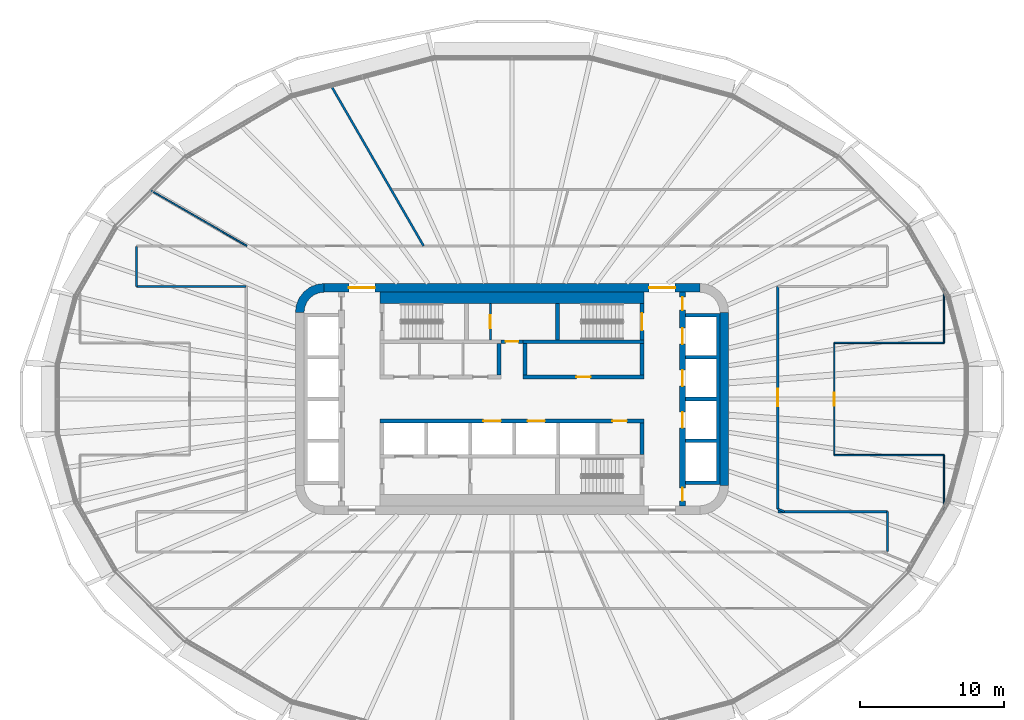
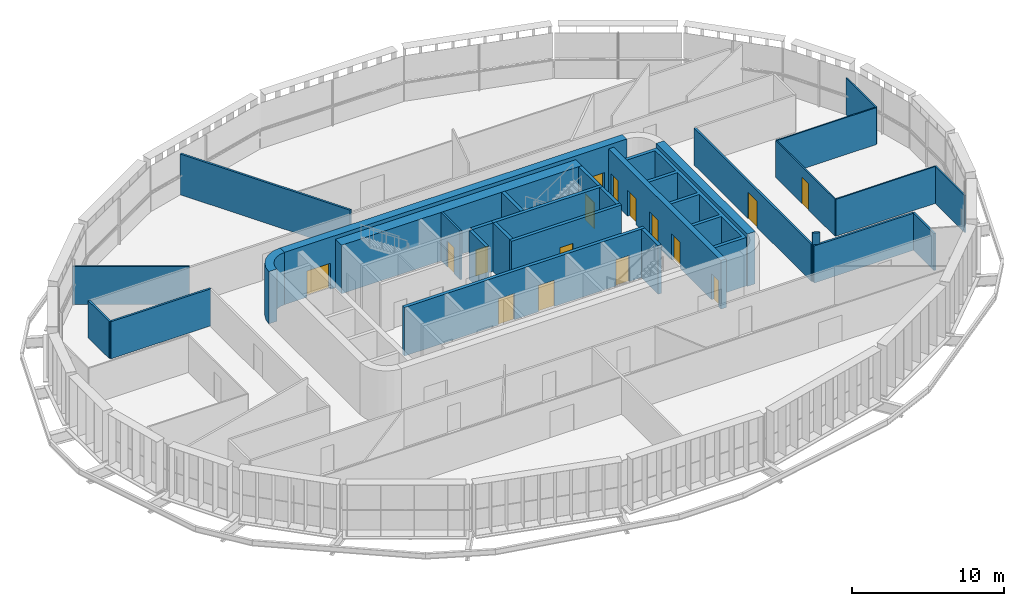
# One storey, part 16 of 25: 30 walls, 16 doors, 16 openings.
"""IFC4 building model written with IfcOpenShell, lengths in metres."""

from ifc_helpers import new_model, si_unit, direction, frame, frame_2d, origin, place, context, subcontext, project, spatial, polyline, rectangle, outline, extrude, material, layer, layer_set, type_object, element, fill, save


model = new_model("IFC4")

# Units and contexts
model_context = context("Model", 3, precision=1e-05, world=origin(), true_north=direction((0.0, 1.0)))
body_context = subcontext(model_context, "Body", "Model", "MODEL_VIEW")
ifc_project = project(units=[si_unit("LENGTHUNIT", "METRE"), si_unit("AREAUNIT", "SQUARE_METRE"), si_unit("VOLUMEUNIT", "CUBIC_METRE"), si_unit("PLANEANGLEUNIT", "RADIAN"), si_unit("MASSUNIT", "GRAM", prefix="KILO")], contexts=[model_context])

# Site, building, storey
site_placement = place(None, origin())
site = spatial("IfcSite", under=ifc_project, at=site_placement, CompositionType="ELEMENT")
building_placement = place(site_placement, origin())
building = spatial("IfcBuilding", under=site, at=building_placement, Name="Sahrelin Media Tower", CompositionType="ELEMENT")
storey_placement = place(building_placement, frame((0.0, 0.0, 144.0)))
storey = spatial("IfcBuildingStorey", under=building, at=storey_placement, Name="L29", CompositionType="ELEMENT", Elevation=144.0)

# Wall, openings, doors
ifc_material_1 = material(Name="Concrete C60/75", Category="concrete")
ifc_layer_1 = layer(ifc_material_1, 0.60009765625)
ifc_layer_set_1 = layer_set([ifc_layer_1], Name="Core wall 600")
wall_type_1 = type_object("IfcWallType", Name="Core wall 600", PredefinedType="SHEAR", material=ifc_layer_set_1)
wall_1_placement = place(storey_placement, frame((-13.0, 7.699951171875, 0.0), z_axis=(0.0, 0.0, 1.0), x_axis=(1.0, 0.0, 0.0)))
wall_1 = element("IfcWall", 1, at=wall_1_placement, inside=storey, type_object=wall_type_1, Name="Core wall N L29", PredefinedType="SHEAR", context=body_context, shape_type="SweptSolid", body=[
    extrude(rectangle(XDim=26.0, YDim=0.60009765625, at=frame_2d((13.0, 0.0))), origin(), (0.0, 0.0, 1.0), 4.199951171875),
])
opening_1_placement = place(wall_1_placement, frame((1.699951171875, 0.0, 0.0)))
opening_1 = element("IfcOpeningElement", 2, at=opening_1_placement, cuts=wall_1, Name="Opening L29-D17", PredefinedType="OPENING", context=body_context, shape_type="SweptSolid", body=[
    extrude(rectangle(XDim=1.800048828125, YDim=2.10009765625, at=frame_2d((0.89990234375, 1.050048828125))), frame((0.0, 0.300048828125, 0.0), z_axis=(0.0, -1.0, 0.0), x_axis=(1.0, 0.0, 0.0)), (0.0, 0.0, 1.0), 0.60009765625),
])
opening_2_placement = place(wall_1_placement, frame((22.5, 0.0, 0.0)))
opening_2 = element("IfcOpeningElement", 3, at=opening_2_placement, cuts=wall_1, Name="Opening L29-D18", PredefinedType="OPENING", context=body_context, shape_type="SweptSolid", body=[
    extrude(rectangle(XDim=1.800048828125, YDim=2.10009765625, at=frame_2d((0.89990234375, 1.050048828125))), frame((0.0, 0.300048828125, 0.0), z_axis=(0.0, -1.0, 0.0), x_axis=(1.0, 0.0, 0.0)), (0.0, 0.0, 1.0), 0.60009765625),
])
ifc_material_2 = material(Name="Steel fire door leaf", Category="steel")
door_type_1 = type_object("IfcDoorType", Name="Lobby double door 1800 x 2100 EI 60", OperationType="DOUBLE_DOOR_SINGLE_SWING", PredefinedType="DOOR", material=ifc_material_2)
door_1_placement = place(opening_1_placement, origin())
door_1 = element("IfcDoor", 4, at=door_1_placement, inside=storey, type_object=door_type_1, Name="Lobby door", OperationType="DOUBLE_DOOR_SINGLE_SWING", OverallHeight=2.10009765625, OverallWidth=1.800048828125, PredefinedType="DOOR", context=body_context, shape_type="SweptSolid", body=[
    extrude(rectangle(XDim=1.800048828125, YDim=2.10009765625, at=frame_2d((0.89990234375, 1.050048828125))), frame((0.0, 0.02490234375, 0.0), z_axis=(0.0, -1.0, 0.0), x_axis=(1.0, 0.0, 0.0)), (0.0, 0.0, 1.0), 0.050048828125),
])
fill(opening_1, door_1)
door_2_placement = place(opening_2_placement, origin())
door_2 = element("IfcDoor", 5, at=door_2_placement, inside=storey, type_object=door_type_1, Name="Lobby door", OperationType="DOUBLE_DOOR_SINGLE_SWING", OverallHeight=2.10009765625, OverallWidth=1.800048828125, PredefinedType="DOOR", context=body_context, shape_type="SweptSolid", body=[
    extrude(rectangle(XDim=1.800048828125, YDim=2.10009765625, at=frame_2d((0.89990234375, 1.050048828125))), frame((0.0, 0.02490234375, 0.0), z_axis=(0.0, -1.0, 0.0), x_axis=(1.0, 0.0, 0.0)), (0.0, 0.0, 1.0), 0.050048828125),
])
fill(opening_2, door_2)

# Walls
wall_2_placement = place(storey_placement, frame((14.699951171875, -6.0, 0.0), z_axis=(0.0, 0.0, 1.0), x_axis=(0.0, 1.0, 0.0)))
element("IfcWall", 6, at=wall_2_placement, inside=storey, type_object=wall_type_1, Name="Core wall E L29", PredefinedType="SHEAR", context=body_context, shape_type="SweptSolid", body=[
    extrude(rectangle(XDim=12.0, YDim=0.60009765625, at=frame_2d((6.0, 0.0))), origin(), (0.0, 0.0, 1.0), 4.199951171875),
])
placement = place(storey_placement, origin())
element("IfcWall", 7, at=placement, inside=storey, type_object=wall_type_1, Name="Core wall corner NW L29", PredefinedType="SHEAR", context=body_context, shape_type="SweptSolid", body=[
    extrude(outline(polyline([(-15.0, 6.0), (-14.394775390625, 6.0), (-14.347412109375, 6.361083984375), (-14.2080078125, 6.697509765625), (-13.986328125, 6.986328125), (-13.697509765625, 7.2080078125), (-13.361083984375, 7.347412109375), (-13.0, 7.394775390625), (-13.0, 8.0), (-13.517578125, 7.931884765625), (-14.0, 7.732177734375), (-14.414306640625, 7.414306640625), (-14.732177734375, 7.0), (-14.931884765625, 6.517578125), (-15.0, 6.0)])), origin(), (0.0, 0.0, 1.0), 4.199951171875),
])

# Wall, opening, door
ifc_material_3 = material(Name="Fire-rated gypsum board partition")
ifc_layer_2 = layer(ifc_material_3, 0.25)
ifc_layer_set_2 = layer_set([ifc_layer_2], Name="Fire-rated lobby wall 250")
wall_type_2 = type_object("IfcWallType", Name="Fire-rated lobby wall 250", PredefinedType="PARTITIONING", material=ifc_layer_set_2)
wall_4_placement = place(storey_placement, frame((-0.77490234375, 3.97509765625, 0.0), z_axis=(0.0, 0.0, 1.0), x_axis=(1.0, 0.0, 0.0)))
wall_4 = element("IfcWall", 8, at=wall_4_placement, inside=storey, type_object=wall_type_2, Name="Core lobby wall", PredefinedType="PARTITIONING", context=body_context, shape_type="SweptSolid", body=[
    extrude(rectangle(XDim=1.5498046875, YDim=0.25, at=frame_2d((0.77490234375, 0.0))), origin(), (0.0, 0.0, 1.0), 3.89990234375),
])
opening_3_placement = place(wall_4_placement, frame((0.324951171875, 0.0, 0.0)))
opening_3 = element("IfcOpeningElement", 9, at=opening_3_placement, cuts=wall_4, Name="Opening L29-D06", PredefinedType="OPENING", context=body_context, shape_type="SweptSolid", body=[
    extrude(rectangle(XDim=0.89990234375, YDim=2.10009765625, at=frame_2d((0.449951171875, 1.050048828125))), frame((0.0, 0.125, 0.0), z_axis=(0.0, -1.0, 0.0), x_axis=(1.0, 0.0, 0.0)), (0.0, 0.0, 1.0), 0.25),
])
door_type_2 = type_object("IfcDoorType", Name="Riser door 900 x 2100 EI 120", OperationType="NOTDEFINED", PredefinedType="DOOR", material=ifc_material_2)
door_3_placement = place(opening_3_placement, origin())
door_3 = element("IfcDoor", 10, at=door_3_placement, inside=storey, type_object=door_type_2, Name="Core room door", OperationType="SINGLE_SWING_LEFT", OverallHeight=2.10009765625, OverallWidth=0.89990234375, PredefinedType="DOOR", context=body_context, shape_type="SweptSolid", body=[
    extrude(rectangle(XDim=0.89990234375, YDim=2.10009765625, at=frame_2d((0.449951171875, 1.050048828125))), frame((0.0, 0.02490234375, 0.0), z_axis=(0.0, -1.0, 0.0), x_axis=(1.0, 0.0, 0.0)), (0.0, 0.0, 1.0), 0.050048828125),
])
fill(opening_3, door_3)

wall_5_placement = place(storey_placement, frame((0.77490234375, 1.52490234375, 0.0), z_axis=(0.0, 0.0, 1.0), x_axis=(1.0, 0.0, 0.0)))
wall_5 = element("IfcWall", 11, at=wall_5_placement, inside=storey, type_object=wall_type_2, Name="Core lobby wall", PredefinedType="PARTITIONING", context=body_context, shape_type="SweptSolid", body=[
    extrude(rectangle(XDim=8.35009765625, YDim=0.25, at=frame_2d((4.175048828125, 0.0))), origin(), (0.0, 0.0, 1.0), 3.89990234375),
])
opening_4_placement = place(wall_5_placement, frame((3.675048828125, 0.0, 0.0)))
opening_4 = element("IfcOpeningElement", 12, at=opening_4_placement, cuts=wall_5, Name="Opening L29-D11", PredefinedType="OPENING", context=body_context, shape_type="SweptSolid", body=[
    extrude(rectangle(XDim=1.0, YDim=2.10009765625, at=frame_2d((0.5, 1.050048828125))), frame((0.0, 0.125, 0.0), z_axis=(0.0, -1.0, 0.0), x_axis=(1.0, 0.0, 0.0)), (0.0, 0.0, 1.0), 0.25),
])
door_type_3 = type_object("IfcDoorType", Name="Fire door 1000 x 2100 EI 60", OperationType="NOTDEFINED", PredefinedType="DOOR", material=ifc_material_2)
door_4_placement = place(opening_4_placement, origin())
door_4 = element("IfcDoor", 13, at=door_4_placement, inside=storey, type_object=door_type_3, Name="Core room door", OperationType="SINGLE_SWING_LEFT", OverallHeight=2.10009765625, OverallWidth=1.0, PredefinedType="DOOR", context=body_context, shape_type="SweptSolid", body=[
    extrude(rectangle(XDim=1.0, YDim=2.10009765625, at=frame_2d((0.5, 1.050048828125))), frame((0.0, 0.02490234375, 0.0), z_axis=(0.0, -1.0, 0.0), x_axis=(1.0, 0.0, 0.0)), (0.0, 0.0, 1.0), 0.050048828125),
])
fill(opening_4, door_4)

# Walls
for number, where, z_axis, x_axis, name in (
    (14, (-0.89990234375, 1.64990234375, 0.0), (0.0, 0.0, 1.0), (0.0, 1.0, 0.0), "Core lobby wall"),
    (15, (9.0, 1.64990234375, 0.0), (0.0, 0.0, 1.0), (0.0, 1.0, 0.0), "Core lobby wall"),
    (16, (0.89990234375, 1.64990234375, 0.0), (0.0, 0.0, 1.0), (0.0, 1.0, 0.0), "Core lobby wall"),
):
    element("IfcWall", number, at=place(storey_placement, frame(where, z_axis=z_axis, x_axis=x_axis)), inside=storey, type_object=wall_type_2, Name=name, PredefinedType="PARTITIONING", context=body_context, shape_type="SweptSolid", body=[
        extrude(rectangle(XDim=2.2001953125, YDim=0.25, at=frame_2d((1.10009765625, 0.0))), origin(), (0.0, 0.0, 1.0), 3.89990234375),
    ])

# Wall, opening, door
ifc_layer_3 = layer(ifc_material_3, 0.14990234375)
ifc_layer_set_3 = layer_set([ifc_layer_3], Name="Fire-rated partition 150")
wall_type_3 = type_object("IfcWallType", Name="Fire-rated partition 150", PredefinedType="PARTITIONING", material=ifc_layer_set_3)
wall_6_placement = place(storey_placement, frame((-1.5, 4.10009765625, 0.0), z_axis=(0.0, 0.0, 1.0), x_axis=(0.0, 1.0, 0.0)))
wall_6 = element("IfcWall", 17, at=wall_6_placement, inside=storey, type_object=wall_type_3, Name="Core room fire partition", PredefinedType="PARTITIONING", context=body_context, shape_type="SweptSolid", body=[
    extrude(rectangle(XDim=2.5, YDim=0.14990234375, at=frame_2d((1.25, 0.0))), origin(), (0.0, 0.0, 1.0), 3.89990234375),
])
opening_5_placement = place(wall_6_placement, frame((0.800048828125, 0.0, 0.0)))
opening_5 = element("IfcOpeningElement", 18, at=opening_5_placement, cuts=wall_6, Name="Opening L29-D07", PredefinedType="OPENING", context=body_context, shape_type="SweptSolid", body=[
    extrude(rectangle(XDim=0.89990234375, YDim=2.10009765625, at=frame_2d((0.449951171875, 1.050048828125))), frame((0.0, 0.074951171875, 0.0), z_axis=(0.0, -1.0, 0.0), x_axis=(1.0, 0.0, 0.0)), (0.0, 0.0, 1.0), 0.14990234375),
])
door_type_4 = type_object("IfcDoorType", Name="Fire door 900 x 2100 EI 60", OperationType="NOTDEFINED", PredefinedType="DOOR", material=ifc_material_2)
door_5_placement = place(opening_5_placement, origin())
door_5 = element("IfcDoor", 19, at=door_5_placement, inside=storey, type_object=door_type_4, Name="Core room door", OperationType="SINGLE_SWING_LEFT", OverallHeight=2.10009765625, OverallWidth=0.89990234375, PredefinedType="DOOR", context=body_context, shape_type="SweptSolid", body=[
    extrude(rectangle(XDim=0.89990234375, YDim=2.10009765625, at=frame_2d((0.449951171875, 1.050048828125))), frame((0.0, 0.02490234375, 0.0), z_axis=(0.0, -1.0, 0.0), x_axis=(1.0, 0.0, 0.0)), (0.0, 0.0, 1.0), 0.050048828125),
])
fill(opening_5, door_5)

# Walls
wall_7_placement = place(storey_placement, frame((-12.5810546875, 21.7900390625, 0.0), z_axis=(0.0, 0.0, 1.0), x_axis=(0.500038653944, -0.866003085769, 0.0)))
element("IfcWall", 20, at=wall_7_placement, inside=storey, type_object=wall_type_3, Name="Wall", PredefinedType="PARTITIONING", context=body_context, shape_type="SweptSolid", body=[
    extrude(rectangle(XDim=12.92138671875, YDim=0.14990234375, at=frame_2d((6.460693359375, 0.0))), origin(), (0.0, 0.0, 1.0), 3.27734375),
])
wall_8_placement = place(storey_placement, frame((18.39990234375, -7.60791015625, 0.0), z_axis=(0.0, 0.0, 1.0), x_axis=(0.923666464005, -0.383197420755, 0.0)))
element("IfcWall", 21, at=wall_8_placement, inside=storey, type_object=wall_type_3, Name="Wall", PredefinedType="PARTITIONING", context=body_context, shape_type="SweptSolid", body=[
    extrude(rectangle(XDim=0.50146484375, YDim=0.14990234375, at=frame_2d((0.250732421875, 0.0))), origin(), (0.0, 0.0, 1.0), 3.89990234375),
])
for number, where, z_axis, x_axis, name in (
    (22, (18.39990234375, -7.800048828125, 0.0), (0.0, 0.0, 1.0), (1.0, 0.0, 0.0), "Wall"),
    (23, (-26.0, 7.800048828125, 0.0), (0.0, 0.0, 1.0), (1.0, 0.0, 0.0), "Wall"),
):
    element("IfcWall", number, at=place(storey_placement, frame(where, z_axis=z_axis, x_axis=x_axis)), inside=storey, type_object=wall_type_3, Name=name, PredefinedType="PARTITIONING", context=body_context, shape_type="SweptSolid", body=[
        extrude(rectangle(XDim=7.60009765625, YDim=0.14990234375, at=frame_2d((3.800048828125, 0.0))), origin(), (0.0, 0.0, 1.0), 2.97705078125),
    ])
wall_9_placement = place(storey_placement, frame((26.0, -10.574951171875, 0.0), z_axis=(0.0, 0.0, 1.0), x_axis=(0.0, 1.0, 0.0)))
element("IfcWall", 24, at=wall_9_placement, inside=storey, type_object=wall_type_3, Name="Wall", PredefinedType="PARTITIONING", context=body_context, shape_type="SweptSolid", body=[
    extrude(rectangle(XDim=2.77490234375, YDim=0.14990234375, at=frame_2d((1.387451171875, 0.0))), origin(), (0.0, 0.0, 1.0), 2.97705078125),
])

# Wall, opening, door
wall_10_placement = place(storey_placement, frame((18.39990234375, -7.60791015625, 0.0), z_axis=(0.0, 0.0, 1.0), x_axis=(0.0, 1.0, 0.0)))
wall_10 = element("IfcWall", 25, at=wall_10_placement, inside=storey, type_object=wall_type_3, Name="Wall", PredefinedType="PARTITIONING", context=body_context, shape_type="SweptSolid", body=[
    extrude(rectangle(XDim=15.407958984375, YDim=0.14990234375, at=frame_2d((7.7041015625, 0.0))), origin(), (0.0, 0.0, 1.0), 2.96826171875),
])
opening_6_placement = place(wall_10_placement, frame((7.10400390625, 0.0, 0.0)))
opening_6 = element("IfcOpeningElement", 26, at=opening_6_placement, cuts=wall_10, Name="Opening L29-D22", PredefinedType="OPENING", context=body_context, shape_type="SweptSolid", body=[
    extrude(rectangle(XDim=1.199951171875, YDim=2.10009765625, at=frame_2d((0.60009765625, 1.050048828125))), frame((0.0, 0.074951171875, 0.0), z_axis=(0.0, -1.0, 0.0), x_axis=(1.0, 0.0, 0.0)), (0.0, 0.0, 1.0), 0.14990234375),
])
door_type_5 = type_object("IfcDoorType", Name="Service double door 1200 x 2100 EI 60", OperationType="DOUBLE_DOOR_SINGLE_SWING", PredefinedType="DOOR", material=ifc_material_2)
door_6_placement = place(opening_6_placement, origin())
door_6 = element("IfcDoor", 27, at=door_6_placement, inside=storey, type_object=door_type_5, Name="Service double door", OperationType="DOUBLE_DOOR_SINGLE_SWING", OverallHeight=2.10009765625, OverallWidth=1.199951171875, PredefinedType="DOOR", context=body_context, shape_type="SweptSolid", body=[
    extrude(rectangle(XDim=1.199951171875, YDim=2.10009765625, at=frame_2d((0.60009765625, 1.050048828125))), frame((0.0, 0.02490234375, 0.0), z_axis=(0.0, -1.0, 0.0), x_axis=(1.0, 0.0, 0.0)), (0.0, 0.0, 1.0), 0.050048828125),
])
fill(opening_6, door_6)

# Wall
wall_11_placement = place(storey_placement, frame((-26.0, 7.800048828125, 0.0), z_axis=(0.0, 0.0, 1.0), x_axis=(0.0, 1.0, 0.0)))
element("IfcWall", 28, at=wall_11_placement, inside=storey, type_object=wall_type_3, Name="Wall", PredefinedType="PARTITIONING", context=body_context, shape_type="SweptSolid", body=[
    extrude(rectangle(XDim=2.77490234375, YDim=0.14990234375, at=frame_2d((1.387451171875, 0.0))), origin(), (0.0, 0.0, 1.0), 2.97705078125),
])

# Wall, openings, doors
ifc_layer_4 = layer(ifc_material_1, 0.25)
ifc_layer_set_4 = layer_set([ifc_layer_4], Name="Lift shaft wall 250")
wall_type_4 = type_object("IfcWallType", Name="Lift shaft wall 250", PredefinedType="SOLIDWALL", material=ifc_layer_set_4)
wall_12_placement = place(storey_placement, frame((-9.125, -1.52490234375, 0.0), z_axis=(0.0, 0.0, 1.0), x_axis=(1.0, 0.0, 0.0)))
wall_12 = element("IfcWall", 29, at=wall_12_placement, inside=storey, type_object=wall_type_4, Name="Lift shaft wall", PredefinedType="SOLIDWALL", context=body_context, shape_type="SweptSolid", body=[
    extrude(rectangle(XDim=18.25, YDim=0.25, at=frame_2d((9.125, 0.0))), origin(), (0.0, 0.0, 1.0), 3.89990234375),
])
opening_7_placement = place(wall_12_placement, frame((7.14990234375, 0.0, 0.0)))
opening_7 = element("IfcOpeningElement", 30, at=opening_7_placement, cuts=wall_12, Name="Opening L29-LD-SV1", PredefinedType="OPENING", context=body_context, shape_type="SweptSolid", body=[
    extrude(rectangle(XDim=1.199951171875, YDim=2.10009765625, at=frame_2d((0.60009765625, 1.050048828125))), frame((0.0, 0.125, 0.0), z_axis=(0.0, -1.0, 0.0), x_axis=(1.0, 0.0, 0.0)), (0.0, 0.0, 1.0), 0.25),
])
opening_8_placement = place(wall_12_placement, frame((10.199951171875, 0.0, 0.0)))
opening_8 = element("IfcOpeningElement", 31, at=opening_8_placement, cuts=wall_12, Name="Opening L29-LD-SV2", PredefinedType="OPENING", context=body_context, shape_type="SweptSolid", body=[
    extrude(rectangle(XDim=1.199951171875, YDim=2.10009765625, at=frame_2d((0.60009765625, 1.050048828125))), frame((0.0, 0.125, 0.0), z_axis=(0.0, -1.0, 0.0), x_axis=(1.0, 0.0, 0.0)), (0.0, 0.0, 1.0), 0.25),
])
opening_9_placement = place(wall_12_placement, frame((16.074951171875, 0.0, 0.0)))
opening_9 = element("IfcOpeningElement", 32, at=opening_9_placement, cuts=wall_12, Name="Opening L29-D12", PredefinedType="OPENING", context=body_context, shape_type="SweptSolid", body=[
    extrude(rectangle(XDim=1.0, YDim=2.10009765625, at=frame_2d((0.5, 1.050048828125))), frame((0.0, 0.125, 0.0), z_axis=(0.0, -1.0, 0.0), x_axis=(1.0, 0.0, 0.0)), (0.0, 0.0, 1.0), 0.25),
])
door_7_placement = place(opening_9_placement, origin())
door_7 = element("IfcDoor", 33, at=door_7_placement, inside=storey, type_object=door_type_3, Name="Core room door", OperationType="SINGLE_SWING_RIGHT", OverallHeight=2.10009765625, OverallWidth=1.0, PredefinedType="DOOR", context=body_context, shape_type="SweptSolid", body=[
    extrude(rectangle(XDim=1.0, YDim=2.10009765625, at=frame_2d((0.5, 1.050048828125))), frame((0.0, 0.02490234375, 0.0), z_axis=(0.0, -1.0, 0.0), x_axis=(1.0, 0.0, 0.0)), (0.0, 0.0, 1.0), 0.050048828125),
])
fill(opening_9, door_7)
ifc_material_4 = material(Name="Stainless steel", Category="steel")
door_type_6 = type_object("IfcDoorType", Name="Lift landing door 1200 x 2100 EI 120", OperationType="DOUBLE_DOOR_SLIDING", PredefinedType="DOOR", material=ifc_material_4)
door_8_placement = place(opening_7_placement, origin())
door_8 = element("IfcDoor", 34, at=door_8_placement, inside=storey, type_object=door_type_6, Name="Lift landing door SV1", OperationType="DOUBLE_DOOR_SLIDING", OverallHeight=2.10009765625, OverallWidth=1.199951171875, PredefinedType="DOOR", context=body_context, shape_type="SweptSolid", body=[
    extrude(rectangle(XDim=1.199951171875, YDim=2.10009765625, at=frame_2d((0.60009765625, 1.050048828125))), frame((0.0, 0.02490234375, 0.0), z_axis=(0.0, -1.0, 0.0), x_axis=(1.0, 0.0, 0.0)), (0.0, 0.0, 1.0), 0.050048828125),
])
fill(opening_7, door_8)
door_9_placement = place(opening_8_placement, origin())
door_9 = element("IfcDoor", 35, at=door_9_placement, inside=storey, type_object=door_type_6, Name="Lift landing door SV2", OperationType="DOUBLE_DOOR_SLIDING", OverallHeight=2.10009765625, OverallWidth=1.199951171875, PredefinedType="DOOR", context=body_context, shape_type="SweptSolid", body=[
    extrude(rectangle(XDim=1.199951171875, YDim=2.10009765625, at=frame_2d((0.60009765625, 1.050048828125))), frame((0.0, 0.02490234375, 0.0), z_axis=(0.0, -1.0, 0.0), x_axis=(1.0, 0.0, 0.0)), (0.0, 0.0, 1.0), 0.050048828125),
])
fill(opening_8, door_9)

# Walls
wall_13_placement = place(storey_placement, frame((9.0, -3.85009765625, 0.0), z_axis=(0.0, 0.0, 1.0), x_axis=(0.0, 1.0, 0.0)))
element("IfcWall", 36, at=wall_13_placement, inside=storey, type_object=wall_type_4, Name="Lift shaft wall", PredefinedType="SOLIDWALL", context=body_context, shape_type="SweptSolid", body=[
    extrude(rectangle(XDim=2.2001953125, YDim=0.25, at=frame_2d((1.10009765625, 0.0))), origin(), (0.0, 0.0, 1.0), 3.89990234375),
])
element("IfcWall", 37, at=placement, inside=storey, type_object=wall_type_4, Name="Lift shaft wall", PredefinedType="SOLIDWALL", context=body_context, shape_type="SweptSolid", body=[
    extrude(outline(polyline([(12.0, -5.675048828125), (12.0, -5.925048828125), (14.14990234375, -5.925048828125), (14.39990234375, -5.925048828125), (14.39990234375, -5.675048828125), (14.39990234375, -3.02490234375), (14.39990234375, -2.77490234375), (14.39990234375, -0.125), (14.39990234375, 0.125), (14.39990234375, 2.77490234375), (14.39990234375, 3.02490234375), (14.39990234375, 5.675048828125), (14.39990234375, 5.925048828125), (14.14990234375, 5.925048828125), (12.0, 5.925048828125), (12.0, 5.675048828125), (14.14990234375, 5.675048828125), (14.14990234375, 3.02490234375), (12.0, 3.02490234375), (12.0, 2.77490234375), (14.14990234375, 2.77490234375), (14.14990234375, 0.125), (12.0, 0.125), (12.0, -0.125), (14.14990234375, -0.125), (14.14990234375, -2.77490234375), (12.0, -2.77490234375), (12.0, -3.02490234375), (14.14990234375, -3.02490234375), (14.14990234375, -5.675048828125), (12.0, -5.675048828125)])), origin(), (0.0, 0.0, 1.0), 3.89990234375),
])

# Wall, openings, doors
ifc_layer_5 = layer(ifc_material_1, 0.39990234375)
ifc_layer_set_5 = layer_set([ifc_layer_5], Name="Lift shaft wall 400")
wall_type_5 = type_object("IfcWallType", Name="Lift shaft wall 400", PredefinedType="SOLIDWALL", material=ifc_layer_set_5)
wall_15_placement = place(storey_placement, frame((11.800048828125, -7.39990234375, 0.0), z_axis=(0.0, 0.0, 1.0), x_axis=(0.0, 1.0, 0.0)))
wall_15 = element("IfcWall", 38, at=wall_15_placement, inside=storey, type_object=wall_type_5, Name="Lift shaft wall", PredefinedType="SOLIDWALL", context=body_context, shape_type="SweptSolid", body=[
    extrude(rectangle(XDim=14.7998046875, YDim=0.39990234375, at=frame_2d((7.39990234375, 0.0))), origin(), (0.0, 0.0, 1.0), 3.89990234375),
])
opening_10_placement = place(wall_15_placement, frame((11.199951171875, 0.0, 0.0)))
opening_10 = element("IfcOpeningElement", 39, at=opening_10_placement, cuts=wall_15, Name="Opening L29-LD-LR4", PredefinedType="OPENING", context=body_context, shape_type="SweptSolid", body=[
    extrude(rectangle(XDim=1.10009765625, YDim=2.10009765625, at=frame_2d((0.550048828125, 1.050048828125))), frame((0.0, 0.199951171875, 0.0), z_axis=(0.0, -1.0, 0.0), x_axis=(1.0, 0.0, 0.0)), (0.0, 0.0, 1.0), 0.39990234375),
])
opening_11_placement = place(wall_15_placement, frame((8.300048828125, 0.0, 0.0)))
opening_11 = element("IfcOpeningElement", 40, at=opening_11_placement, cuts=wall_15, Name="Opening L29-LD-LR5", PredefinedType="OPENING", context=body_context, shape_type="SweptSolid", body=[
    extrude(rectangle(XDim=1.10009765625, YDim=2.10009765625, at=frame_2d((0.550048828125, 1.050048828125))), frame((0.0, 0.199951171875, 0.0), z_axis=(0.0, -1.0, 0.0), x_axis=(1.0, 0.0, 0.0)), (0.0, 0.0, 1.0), 0.39990234375),
])
opening_12_placement = place(wall_15_placement, frame((5.39990234375, 0.0, 0.0)))
opening_12 = element("IfcOpeningElement", 41, at=opening_12_placement, cuts=wall_15, Name="Opening L29-LD-LR6", PredefinedType="OPENING", context=body_context, shape_type="SweptSolid", body=[
    extrude(rectangle(XDim=1.10009765625, YDim=2.10009765625, at=frame_2d((0.550048828125, 1.050048828125))), frame((0.0, 0.199951171875, 0.0), z_axis=(0.0, -1.0, 0.0), x_axis=(1.0, 0.0, 0.0)), (0.0, 0.0, 1.0), 0.39990234375),
])
opening_13_placement = place(wall_15_placement, frame((13.552490234375, 0.0, 0.0)))
opening_13 = element("IfcOpeningElement", 42, at=opening_13_placement, cuts=wall_15, Name="Opening L29-D15", PredefinedType="OPENING", context=body_context, shape_type="SweptSolid", body=[
    extrude(rectangle(XDim=0.89990234375, YDim=2.10009765625, at=frame_2d((0.449951171875, 1.050048828125))), frame((0.0, 0.199951171875, 0.0), z_axis=(0.0, -1.0, 0.0), x_axis=(1.0, 0.0, 0.0)), (0.0, 0.0, 1.0), 0.39990234375),
])
opening_14_placement = place(wall_15_placement, frame((0.347412109375, 0.0, 0.0)))
opening_14 = element("IfcOpeningElement", 43, at=opening_14_placement, cuts=wall_15, Name="Opening L29-D16", PredefinedType="OPENING", context=body_context, shape_type="SweptSolid", body=[
    extrude(rectangle(XDim=0.89990234375, YDim=2.10009765625, at=frame_2d((0.449951171875, 1.050048828125))), frame((0.0, 0.199951171875, 0.0), z_axis=(0.0, -1.0, 0.0), x_axis=(1.0, 0.0, 0.0)), (0.0, 0.0, 1.0), 0.39990234375),
])
door_type_7 = type_object("IfcDoorType", Name="Lift landing door 1100 x 2100 EI 120", OperationType="DOUBLE_DOOR_SLIDING", PredefinedType="DOOR", material=ifc_material_4)
door_10_placement = place(opening_10_placement, origin())
door_10 = element("IfcDoor", 44, at=door_10_placement, inside=storey, type_object=door_type_7, Name="Lift landing door LR4", OperationType="DOUBLE_DOOR_SLIDING", OverallHeight=2.10009765625, OverallWidth=1.10009765625, PredefinedType="DOOR", context=body_context, shape_type="SweptSolid", body=[
    extrude(rectangle(XDim=1.10009765625, YDim=2.10009765625, at=frame_2d((0.550048828125, 1.050048828125))), frame((0.0, 0.02490234375, 0.0), z_axis=(0.0, -1.0, 0.0), x_axis=(1.0, 0.0, 0.0)), (0.0, 0.0, 1.0), 0.050048828125),
])
fill(opening_10, door_10)
door_11_placement = place(opening_11_placement, origin())
door_11 = element("IfcDoor", 45, at=door_11_placement, inside=storey, type_object=door_type_7, Name="Lift landing door LR5", OperationType="DOUBLE_DOOR_SLIDING", OverallHeight=2.10009765625, OverallWidth=1.10009765625, PredefinedType="DOOR", context=body_context, shape_type="SweptSolid", body=[
    extrude(rectangle(XDim=1.10009765625, YDim=2.10009765625, at=frame_2d((0.550048828125, 1.050048828125))), frame((0.0, 0.02490234375, 0.0), z_axis=(0.0, -1.0, 0.0), x_axis=(1.0, 0.0, 0.0)), (0.0, 0.0, 1.0), 0.050048828125),
])
fill(opening_11, door_11)
door_12_placement = place(opening_12_placement, origin())
door_12 = element("IfcDoor", 46, at=door_12_placement, inside=storey, type_object=door_type_7, Name="Lift landing door LR6", OperationType="DOUBLE_DOOR_SLIDING", OverallHeight=2.10009765625, OverallWidth=1.10009765625, PredefinedType="DOOR", context=body_context, shape_type="SweptSolid", body=[
    extrude(rectangle(XDim=1.10009765625, YDim=2.10009765625, at=frame_2d((0.550048828125, 1.050048828125))), frame((0.0, 0.02490234375, 0.0), z_axis=(0.0, -1.0, 0.0), x_axis=(1.0, 0.0, 0.0)), (0.0, 0.0, 1.0), 0.050048828125),
])
fill(opening_12, door_12)
door_13_placement = place(opening_13_placement, origin())
door_13 = element("IfcDoor", 47, at=door_13_placement, inside=storey, type_object=door_type_2, Name="Riser door", OperationType="SINGLE_SWING_RIGHT", OverallHeight=2.10009765625, OverallWidth=0.89990234375, PredefinedType="DOOR", context=body_context, shape_type="SweptSolid", body=[
    extrude(rectangle(XDim=0.89990234375, YDim=2.10009765625, at=frame_2d((0.449951171875, 1.050048828125))), frame((0.0, 0.02490234375, 0.0), z_axis=(0.0, -1.0, 0.0), x_axis=(1.0, 0.0, 0.0)), (0.0, 0.0, 1.0), 0.050048828125),
])
fill(opening_13, door_13)
door_14_placement = place(opening_14_placement, origin())
door_14 = element("IfcDoor", 48, at=door_14_placement, inside=storey, type_object=door_type_2, Name="Riser door", OperationType="SINGLE_SWING_RIGHT", OverallHeight=2.10009765625, OverallWidth=0.89990234375, PredefinedType="DOOR", context=body_context, shape_type="SweptSolid", body=[
    extrude(rectangle(XDim=0.89990234375, YDim=2.10009765625, at=frame_2d((0.449951171875, 1.050048828125))), frame((0.0, 0.02490234375, 0.0), z_axis=(0.0, -1.0, 0.0), x_axis=(1.0, 0.0, 0.0)), (0.0, 0.0, 1.0), 0.050048828125),
])
fill(opening_14, door_14)

# Walls
ifc_material_5 = material(Name="Gypsum board partition")
ifc_layer_6 = layer(ifc_material_5, 0.10009765625)
ifc_layer_set_6 = layer_set([ifc_layer_6], Name="Partition 100")
wall_type_6 = type_object("IfcWallType", Name="Partition 100", PredefinedType="PARTITIONING", material=ifc_layer_set_6)
wall_16_placement = place(storey_placement, frame((-25.029052734375, 14.450927734375, 0.0), z_axis=(0.0, 0.0, 1.0), x_axis=(0.865996573404, -0.500049932359, 0.0)))
element("IfcWall", 49, at=wall_16_placement, inside=storey, type_object=wall_type_6, Name="Wall", PredefinedType="PARTITIONING", context=body_context, shape_type="SweptSolid", body=[
    extrude(rectangle(XDim=7.700927734375, YDim=0.10009765625, at=frame_2d((3.8505859375, 0.0))), origin(), (0.0, 0.0, 1.0), 3.044921875),
])
for number, where, z_axis, x_axis, name in (
    (50, (22.31005859375, -3.889892578125, 0.0), (0.0, 0.0, 1.0), (1.0, 0.0, 0.0), "Wall"),
    (51, (22.31005859375, 3.889892578125, 0.0), (0.0, 0.0, 1.0), (1.0, 0.0, 0.0), "Wall"),
):
    element("IfcWall", number, at=place(storey_placement, frame(where, z_axis=z_axis, x_axis=x_axis)), inside=storey, type_object=wall_type_6, Name=name, PredefinedType="PARTITIONING", context=body_context, shape_type="SweptSolid", body=[
        extrude(rectangle(XDim=7.599853515625, YDim=0.10009765625, at=frame_2d((3.7998046875, 0.0))), origin(), (0.0, 0.0, 1.0), 2.96826171875),
    ])
for number, where, z_axis, x_axis, name in (
    (52, (29.909912109375, -7.802978515625, 0.0), (0.0, 0.0, 1.0), (0.0, 1.0, 0.0), "Wall"),
    (53, (29.909912109375, 3.889892578125, 0.0), (0.0, 0.0, 1.0), (0.0, 1.0, 0.0), "Wall"),
):
    element("IfcWall", number, at=place(storey_placement, frame(where, z_axis=z_axis, x_axis=x_axis)), inside=storey, type_object=wall_type_6, Name=name, PredefinedType="PARTITIONING", context=body_context, shape_type="SweptSolid", body=[
        extrude(rectangle(XDim=3.9130859375, YDim=0.10009765625, at=frame_2d((1.95654296875, 0.0))), origin(), (0.0, 0.0, 1.0), 2.96826171875),
    ])

# Wall, opening, door
wall_17_placement = place(storey_placement, frame((22.31005859375, -3.889892578125, 0.0), z_axis=(0.0, 0.0, 1.0), x_axis=(0.0, 1.0, 0.0)))
wall_17 = element("IfcWall", 54, at=wall_17_placement, inside=storey, type_object=wall_type_6, Name="Wall", PredefinedType="PARTITIONING", context=body_context, shape_type="SweptSolid", body=[
    extrude(rectangle(XDim=7.77978515625, YDim=0.10009765625, at=frame_2d((3.889892578125, 0.0))), origin(), (0.0, 0.0, 1.0), 2.96826171875),
])
opening_15_placement = place(wall_17_placement, frame((3.43994140625, 0.0, 0.0)))
opening_15 = element("IfcOpeningElement", 55, at=opening_15_placement, cuts=wall_17, Name="Opening L29-D25", PredefinedType="OPENING", context=body_context, shape_type="SweptSolid", body=[
    extrude(rectangle(XDim=0.89990234375, YDim=2.10009765625, at=frame_2d((0.449951171875, 1.050048828125))), frame((0.0, 0.050048828125, 0.0), z_axis=(0.0, -1.0, 0.0), x_axis=(1.0, 0.0, 0.0)), (0.0, 0.0, 1.0), 0.10009765625),
])
ifc_material_6 = material(Name="Timber door leaf", Category="wood")
door_type_8 = type_object("IfcDoorType", Name="Single door 900 x 2100", OperationType="NOTDEFINED", PredefinedType="DOOR", material=ifc_material_6)
door_15_placement = place(opening_15_placement, origin())
door_15 = element("IfcDoor", 56, at=door_15_placement, inside=storey, type_object=door_type_8, Name="Single door", OperationType="SINGLE_SWING_LEFT", OverallHeight=2.10009765625, OverallWidth=0.89990234375, PredefinedType="DOOR", context=body_context, shape_type="SweptSolid", body=[
    extrude(rectangle(XDim=0.89990234375, YDim=2.10009765625, at=frame_2d((0.449951171875, 1.050048828125))), frame((0.0, 0.02490234375, 0.0), z_axis=(0.0, -1.0, 0.0), x_axis=(1.0, 0.0, 0.0)), (0.0, 0.0, 1.0), 0.050048828125),
])
fill(opening_15, door_15)

ifc_layer_7 = layer(ifc_material_1, 0.25)
ifc_layer_set_7 = layer_set([ifc_layer_7], Name="Stair enclosure wall 250")
wall_type_7 = type_object("IfcWallType", Name="Stair enclosure wall 250", PredefinedType="SOLIDWALL", material=ifc_layer_set_7)
wall_18_placement = place(storey_placement, frame((9.0, 4.10009765625, 0.0), z_axis=(0.0, 0.0, 1.0), x_axis=(0.0, 1.0, 0.0)))
wall_18 = element("IfcWall", 57, at=wall_18_placement, inside=storey, type_object=wall_type_7, Name="Stair enclosure wall", PredefinedType="SOLIDWALL", context=body_context, shape_type="SweptSolid", body=[
    extrude(rectangle(XDim=2.5, YDim=0.25, at=frame_2d((1.25, 0.0))), origin(), (0.0, 0.0, 1.0), 3.89990234375),
])
opening_16_placement = place(wall_18_placement, frame((0.64990234375, 0.0, 0.0)))
opening_16 = element("IfcOpeningElement", 58, at=opening_16_placement, cuts=wall_18, Name="Opening L29-D02", PredefinedType="OPENING", context=body_context, shape_type="SweptSolid", body=[
    extrude(rectangle(XDim=1.199951171875, YDim=2.10009765625, at=frame_2d((0.60009765625, 1.050048828125))), frame((0.0, 0.125, 0.0), z_axis=(0.0, -1.0, 0.0), x_axis=(1.0, 0.0, 0.0)), (0.0, 0.0, 1.0), 0.25),
])
door_type_9 = type_object("IfcDoorType", Name="Stair door 1200 x 2100 EI 120", OperationType="NOTDEFINED", PredefinedType="DOOR", material=ifc_material_2)
door_16_placement = place(opening_16_placement, origin())
door_16 = element("IfcDoor", 59, at=door_16_placement, inside=storey, type_object=door_type_9, Name="Stair door ST3", OperationType="SINGLE_SWING_LEFT", OverallHeight=2.10009765625, OverallWidth=1.199951171875, PredefinedType="DOOR", context=body_context, shape_type="SweptSolid", body=[
    extrude(rectangle(XDim=1.199951171875, YDim=2.10009765625, at=frame_2d((0.60009765625, 1.050048828125))), frame((0.0, 0.02490234375, 0.0), z_axis=(0.0, -1.0, 0.0), x_axis=(1.0, 0.0, 0.0)), (0.0, 0.0, 1.0), 0.050048828125),
])
fill(opening_16, door_16)

# Walls
wall_19_placement = place(storey_placement, frame((3.14990234375, 4.10009765625, 0.0), z_axis=(0.0, 0.0, 1.0), x_axis=(0.0, 1.0, 0.0)))
element("IfcWall", 60, at=wall_19_placement, inside=storey, type_object=wall_type_7, Name="Stair enclosure wall", PredefinedType="SOLIDWALL", context=body_context, shape_type="SweptSolid", body=[
    extrude(rectangle(XDim=2.5, YDim=0.25, at=frame_2d((1.25, 0.0))), origin(), (0.0, 0.0, 1.0), 3.89990234375),
])
wall_20_placement = place(storey_placement, frame((0.77490234375, 3.97509765625, 0.0), z_axis=(0.0, 0.0, 1.0), x_axis=(1.0, 0.0, 0.0)))
element("IfcWall", 61, at=wall_20_placement, inside=storey, type_object=wall_type_7, Name="Stair enclosure wall", PredefinedType="SOLIDWALL", context=body_context, shape_type="SweptSolid", body=[
    extrude(rectangle(XDim=8.35009765625, YDim=0.25, at=frame_2d((4.175048828125, 0.0))), origin(), (0.0, 0.0, 1.0), 3.89990234375),
])
ifc_layer_8 = layer(ifc_material_1, 0.800048828125)
ifc_layer_set_8 = layer_set([ifc_layer_8], Name="Stair enclosure wall 800")
wall_type_8 = type_object("IfcWallType", Name="Stair enclosure wall 800", PredefinedType="SOLIDWALL", material=ifc_layer_set_8)
wall_21_placement = place(storey_placement, frame((-9.125, 7.0, 0.0), z_axis=(0.0, 0.0, 1.0), x_axis=(1.0, 0.0, 0.0)))
element("IfcWall", 62, at=wall_21_placement, inside=storey, type_object=wall_type_8, Name="Stair enclosure wall", PredefinedType="SOLIDWALL", context=body_context, shape_type="SweptSolid", body=[
    extrude(rectangle(XDim=18.25, YDim=0.800048828125, at=frame_2d((9.125, 0.0))), origin(), (0.0, 0.0, 1.0), 3.89990234375),
])

save(model, "model.ifc")
